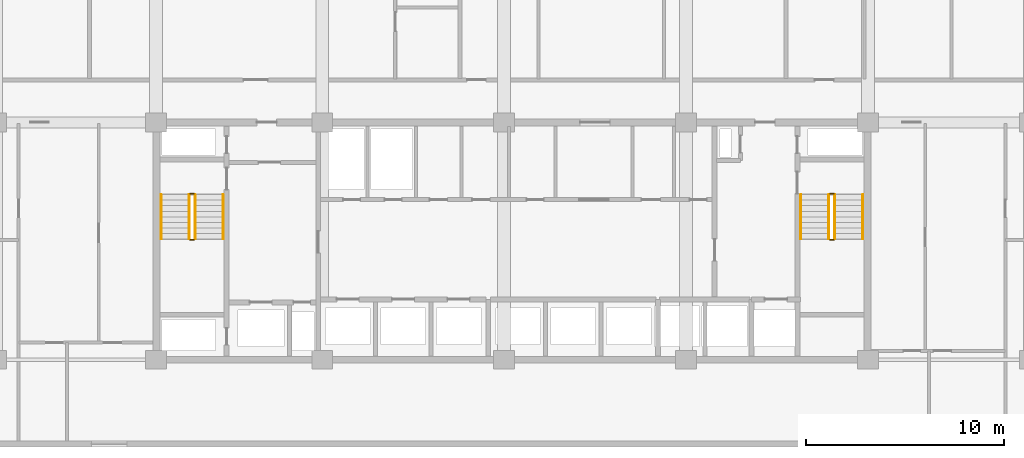
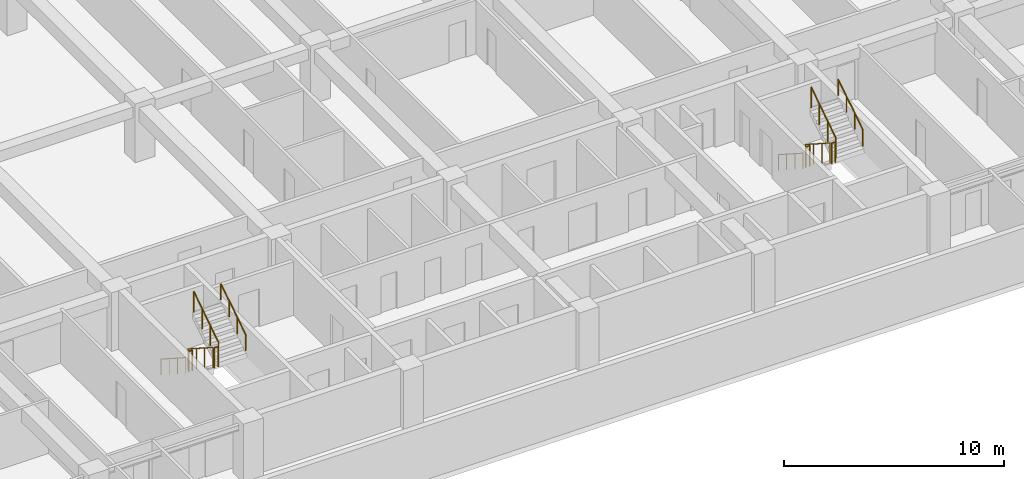
# One storey, part 22 of 23: 12 railings.
"""IFC4 building model written with IfcOpenShell, lengths in metres."""

from ifc_helpers import new_model, si_unit, direction, frame, origin, origin_2d, place, context, subcontext, project, spatial, circle, extrude, material, type_object, element, save


model = new_model("IFC4")

# Units and contexts
model_context = context("Model", 3, precision=1e-05, world=origin(), true_north=direction((0.0, 1.0)))
body_context = subcontext(model_context, "Body", "Model", "MODEL_VIEW")
ifc_project = project(units=[si_unit("LENGTHUNIT", "METRE"), si_unit("AREAUNIT", "SQUARE_METRE"), si_unit("VOLUMEUNIT", "CUBIC_METRE"), si_unit("PLANEANGLEUNIT", "RADIAN"), si_unit("MASSUNIT", "GRAM", prefix="KILO")], contexts=[model_context])

# Site, building, storey
site_placement = place(None, origin())
site = spatial("IfcSite", under=ifc_project, at=site_placement, CompositionType="ELEMENT")
building_placement = place(site_placement, origin())
building = spatial("IfcBuilding", under=site, at=building_placement, Name="Korimba Cascade Residences", CompositionType="ELEMENT")
storey_placement = place(building_placement, frame((0.0, 0.0, 69.5)))
storey = spatial("IfcBuildingStorey", under=building, at=storey_placement, Name="L19", CompositionType="ELEMENT", Elevation=69.5)

# Railings
ifc_material_1 = material(Name="Painted Steel Stairwell Guardrail", Category="steel")
railing_type_1 = type_object("IfcRailingType", Name="RLG-ST-GD1150", PredefinedType="GUARDRAIL", material=ifc_material_1)
railing_1_placement = place(storey_placement, frame((77.77001953125, 63.550048828125, 0.1806640625)))
element("IfcRailing", 1, at=railing_1_placement, inside=storey, type_object=railing_type_1, Name="L19 ST-W1 stair guard 1", PredefinedType="GUARDRAIL", context=body_context, shape_type="SweptSolid", body=[
    extrude(circle(Radius=0.02392578125, at=origin_2d()), frame((0.0, 0.0, 1.1259765625), z_axis=(0.0, -0.840436612492, 0.541909863706), x_axis=(1.0, 0.0, 0.0)), (0.0, 0.0, 1.0), 2.665283203125),
    extrude(circle(Radius=0.02099609375, at=origin_2d()), origin(), (0.0, 0.0, 1.0), 1.101806640625),
    extrude(circle(Radius=0.02099609375, at=origin_2d()), frame((0.0, -0.74658203125, 0.4814453125)), (0.0, 0.0, 1.0), 1.101806640625),
    extrude(circle(Radius=0.02099609375, at=origin_2d()), frame((0.0, -1.493408203125, 0.962890625)), (0.0, 0.0, 1.0), 1.101806640625),
    extrude(circle(Radius=0.02099609375, at=origin_2d()), frame((0.0, -2.239990234375, 1.4443359375)), (0.0, 0.0, 1.0), 1.101806640625),
])
railing_2_placement = place(storey_placement, frame((77.820068359375, 61.260009765625, 1.625)))
element("IfcRailing", 2, at=railing_2_placement, inside=storey, type_object=railing_type_1, Name="L19 ST-W1 stair guard 2", PredefinedType="GUARDRAIL", context=body_context, shape_type="SweptSolid", body=[
    extrude(circle(Radius=0.02392578125, at=origin_2d()), frame((0.0, 0.0, 1.1259765625), z_axis=(1.0, 0.0, 0.0), x_axis=(0.0, 1.0, 0.0)), (0.0, 0.0, 1.0), 0.199951171875),
    extrude(circle(Radius=0.02099609375, at=origin_2d()), origin(), (0.0, 0.0, 1.0), 1.101806640625),
    extrude(circle(Radius=0.02099609375, at=origin_2d()), frame((0.199951171875, 0.0, 0.0)), (0.0, 0.0, 1.0), 1.101806640625),
])
railing_3_placement = place(storey_placement, frame((78.070068359375, 61.31005859375, 1.8056640625)))
element("IfcRailing", 3, at=railing_3_placement, inside=storey, type_object=railing_type_1, Name="L19 ST-W1 stair guard 3", PredefinedType="GUARDRAIL", context=body_context, shape_type="SweptSolid", body=[
    extrude(circle(Radius=0.02392578125, at=origin_2d()), frame((0.0, 0.0, 1.1259765625), z_axis=(0.0, 0.840436612492, 0.541909863706), x_axis=(-1.0, 0.0, 0.0)), (0.0, 0.0, 1.0), 2.665283203125),
    extrude(circle(Radius=0.02099609375, at=origin_2d()), origin(), (0.0, 0.0, 1.0), 1.101806640625),
    extrude(circle(Radius=0.02099609375, at=origin_2d()), frame((0.0, 0.74658203125, 0.4814453125)), (0.0, 0.0, 1.0), 1.101806640625),
    extrude(circle(Radius=0.02099609375, at=origin_2d()), frame((0.0, 1.493408203125, 0.962890625)), (0.0, 0.0, 1.0), 1.101806640625),
    extrude(circle(Radius=0.02099609375, at=origin_2d()), frame((0.0, 2.239990234375, 1.4443359375)), (0.0, 0.0, 1.0), 1.101806640625),
])
railing_4_placement = place(storey_placement, frame((77.820068359375, 63.60009765625, 0.0)))
element("IfcRailing", 4, at=railing_4_placement, inside=storey, type_object=railing_type_1, Name="L19 ST-W1 stair guard 4", PredefinedType="GUARDRAIL", context=body_context, shape_type="SweptSolid", body=[
    extrude(circle(Radius=0.02392578125, at=origin_2d()), frame((0.0, 0.0, 1.1259765625), z_axis=(1.0, 0.0, 0.0), x_axis=(0.0, 1.0, 0.0)), (0.0, 0.0, 1.0), 0.199951171875),
    extrude(circle(Radius=0.02099609375, at=origin_2d()), origin(), (0.0, 0.0, 1.0), 1.101806640625),
    extrude(circle(Radius=0.02099609375, at=origin_2d()), frame((0.199951171875, 0.0, 0.0)), (0.0, 0.0, 1.0), 1.101806640625),
])
railing_5_placement = place(storey_placement, frame((110.1298828125, 63.550048828125, 0.1806640625)))
element("IfcRailing", 5, at=railing_5_placement, inside=storey, type_object=railing_type_1, Name="L19 ST-W2 stair guard 1", PredefinedType="GUARDRAIL", context=body_context, shape_type="SweptSolid", body=[
    extrude(circle(Radius=0.02392578125, at=origin_2d()), frame((0.0, 0.0, 1.1259765625), z_axis=(0.0, -0.840436612492, 0.541909863706), x_axis=(1.0, 0.0, 0.0)), (0.0, 0.0, 1.0), 2.665283203125),
    extrude(circle(Radius=0.02099609375, at=origin_2d()), origin(), (0.0, 0.0, 1.0), 1.101806640625),
    extrude(circle(Radius=0.02099609375, at=origin_2d()), frame((0.0, -0.74658203125, 0.4814453125)), (0.0, 0.0, 1.0), 1.101806640625),
    extrude(circle(Radius=0.02099609375, at=origin_2d()), frame((0.0, -1.493408203125, 0.962890625)), (0.0, 0.0, 1.0), 1.101806640625),
    extrude(circle(Radius=0.02099609375, at=origin_2d()), frame((0.0, -2.239990234375, 1.4443359375)), (0.0, 0.0, 1.0), 1.101806640625),
])
railing_6_placement = place(storey_placement, frame((110.179931640625, 61.260009765625, 1.625)))
element("IfcRailing", 6, at=railing_6_placement, inside=storey, type_object=railing_type_1, Name="L19 ST-W2 stair guard 2", PredefinedType="GUARDRAIL", context=body_context, shape_type="SweptSolid", body=[
    extrude(circle(Radius=0.02392578125, at=origin_2d()), frame((0.0, 0.0, 1.1259765625), z_axis=(1.0, 0.0, 0.0), x_axis=(0.0, 1.0, 0.0)), (0.0, 0.0, 1.0), 0.199951171875),
    extrude(circle(Radius=0.02099609375, at=origin_2d()), origin(), (0.0, 0.0, 1.0), 1.101806640625),
    extrude(circle(Radius=0.02099609375, at=origin_2d()), frame((0.199951171875, 0.0, 0.0)), (0.0, 0.0, 1.0), 1.101806640625),
])
railing_7_placement = place(storey_placement, frame((110.429931640625, 61.31005859375, 1.8056640625)))
element("IfcRailing", 7, at=railing_7_placement, inside=storey, type_object=railing_type_1, Name="L19 ST-W2 stair guard 3", PredefinedType="GUARDRAIL", context=body_context, shape_type="SweptSolid", body=[
    extrude(circle(Radius=0.02392578125, at=origin_2d()), frame((0.0, 0.0, 1.1259765625), z_axis=(0.0, 0.840436612492, 0.541909863706), x_axis=(-1.0, 0.0, 0.0)), (0.0, 0.0, 1.0), 2.665283203125),
    extrude(circle(Radius=0.02099609375, at=origin_2d()), origin(), (0.0, 0.0, 1.0), 1.101806640625),
    extrude(circle(Radius=0.02099609375, at=origin_2d()), frame((0.0, 0.74658203125, 0.4814453125)), (0.0, 0.0, 1.0), 1.101806640625),
    extrude(circle(Radius=0.02099609375, at=origin_2d()), frame((0.0, 1.493408203125, 0.962890625)), (0.0, 0.0, 1.0), 1.101806640625),
    extrude(circle(Radius=0.02099609375, at=origin_2d()), frame((0.0, 2.239990234375, 1.4443359375)), (0.0, 0.0, 1.0), 1.101806640625),
])
railing_8_placement = place(storey_placement, frame((110.179931640625, 63.60009765625, 0.0)))
element("IfcRailing", 8, at=railing_8_placement, inside=storey, type_object=railing_type_1, Name="L19 ST-W2 stair guard 4", PredefinedType="GUARDRAIL", context=body_context, shape_type="SweptSolid", body=[
    extrude(circle(Radius=0.02392578125, at=origin_2d()), frame((0.0, 0.0, 1.1259765625), z_axis=(1.0, 0.0, 0.0), x_axis=(0.0, 1.0, 0.0)), (0.0, 0.0, 1.0), 0.199951171875),
    extrude(circle(Radius=0.02099609375, at=origin_2d()), origin(), (0.0, 0.0, 1.0), 1.101806640625),
    extrude(circle(Radius=0.02099609375, at=origin_2d()), frame((0.199951171875, 0.0, 0.0)), (0.0, 0.0, 1.0), 1.101806640625),
])
ifc_material_2 = material(Name="Brushed Stainless Steel Handrail", Category="steel")
railing_type_2 = type_object("IfcRailingType", Name="RLG-ST-HR900", PredefinedType="HANDRAIL", material=ifc_material_2)
railing_9_placement = place(storey_placement, frame((76.35009765625, 63.550048828125, 0.364990234375)))
element("IfcRailing", 9, at=railing_9_placement, inside=storey, type_object=railing_type_2, Name="L19 ST-W1 stair handrail 1", PredefinedType="HANDRAIL", context=body_context, shape_type="SweptSolid", body=[
    extrude(circle(Radius=0.02392578125, at=origin_2d()), frame((0.0, 0.0, 0.8759765625), z_axis=(0.0, -0.840436612492, 0.541909863706), x_axis=(1.0, 0.0, 0.0)), (0.0, 0.0, 1.0), 2.665283203125),
    extrude(circle(Radius=0.02099609375, at=origin_2d()), origin(), (0.0, 0.0, 1.0), 0.851806640625),
    extrude(circle(Radius=0.02099609375, at=origin_2d()), frame((0.0, -0.74658203125, 0.4814453125)), (0.0, 0.0, 1.0), 0.851806640625),
    extrude(circle(Radius=0.02099609375, at=origin_2d()), frame((0.0, -1.493408203125, 0.962890625)), (0.0, 0.0, 1.0), 0.851806640625),
    extrude(circle(Radius=0.02099609375, at=origin_2d()), frame((0.0, -2.239990234375, 1.4443359375)), (0.0, 0.0, 1.0), 0.851806640625),
])
railing_10_placement = place(storey_placement, frame((79.489990234375, 61.31005859375, 1.989990234375)))
element("IfcRailing", 10, at=railing_10_placement, inside=storey, type_object=railing_type_2, Name="L19 ST-W1 stair handrail 2", PredefinedType="HANDRAIL", context=body_context, shape_type="SweptSolid", body=[
    extrude(circle(Radius=0.02392578125, at=origin_2d()), frame((0.0, 0.0, 0.8759765625), z_axis=(0.0, 0.840436612492, 0.541909863706), x_axis=(-1.0, 0.0, 0.0)), (0.0, 0.0, 1.0), 2.665283203125),
    extrude(circle(Radius=0.02099609375, at=origin_2d()), origin(), (0.0, 0.0, 1.0), 0.851806640625),
    extrude(circle(Radius=0.02099609375, at=origin_2d()), frame((0.0, 0.74658203125, 0.4814453125)), (0.0, 0.0, 1.0), 0.851806640625),
    extrude(circle(Radius=0.02099609375, at=origin_2d()), frame((0.0, 1.493408203125, 0.962890625)), (0.0, 0.0, 1.0), 0.851806640625),
    extrude(circle(Radius=0.02099609375, at=origin_2d()), frame((0.0, 2.239990234375, 1.4443359375)), (0.0, 0.0, 1.0), 0.851806640625),
])
railing_11_placement = place(storey_placement, frame((108.7099609375, 63.550048828125, 0.364990234375)))
element("IfcRailing", 11, at=railing_11_placement, inside=storey, type_object=railing_type_2, Name="L19 ST-W2 stair handrail 1", PredefinedType="HANDRAIL", context=body_context, shape_type="SweptSolid", body=[
    extrude(circle(Radius=0.02392578125, at=origin_2d()), frame((0.0, 0.0, 0.8759765625), z_axis=(0.0, -0.840436612492, 0.541909863706), x_axis=(1.0, 0.0, 0.0)), (0.0, 0.0, 1.0), 2.665283203125),
    extrude(circle(Radius=0.02099609375, at=origin_2d()), origin(), (0.0, 0.0, 1.0), 0.851806640625),
    extrude(circle(Radius=0.02099609375, at=origin_2d()), frame((0.0, -0.74658203125, 0.4814453125)), (0.0, 0.0, 1.0), 0.851806640625),
    extrude(circle(Radius=0.02099609375, at=origin_2d()), frame((0.0, -1.493408203125, 0.962890625)), (0.0, 0.0, 1.0), 0.851806640625),
    extrude(circle(Radius=0.02099609375, at=origin_2d()), frame((0.0, -2.239990234375, 1.4443359375)), (0.0, 0.0, 1.0), 0.851806640625),
])
railing_12_placement = place(storey_placement, frame((111.85009765625, 61.31005859375, 1.989990234375)))
element("IfcRailing", 12, at=railing_12_placement, inside=storey, type_object=railing_type_2, Name="L19 ST-W2 stair handrail 2", PredefinedType="HANDRAIL", context=body_context, shape_type="SweptSolid", body=[
    extrude(circle(Radius=0.02392578125, at=origin_2d()), frame((0.0, 0.0, 0.8759765625), z_axis=(0.0, 0.840436612492, 0.541909863706), x_axis=(-1.0, 0.0, 0.0)), (0.0, 0.0, 1.0), 2.665283203125),
    extrude(circle(Radius=0.02099609375, at=origin_2d()), origin(), (0.0, 0.0, 1.0), 0.851806640625),
    extrude(circle(Radius=0.02099609375, at=origin_2d()), frame((0.0, 0.74658203125, 0.4814453125)), (0.0, 0.0, 1.0), 0.851806640625),
    extrude(circle(Radius=0.02099609375, at=origin_2d()), frame((0.0, 1.493408203125, 0.962890625)), (0.0, 0.0, 1.0), 0.851806640625),
    extrude(circle(Radius=0.02099609375, at=origin_2d()), frame((0.0, 2.239990234375, 1.4443359375)), (0.0, 0.0, 1.0), 0.851806640625),
])

save(model, "model.ifc")
